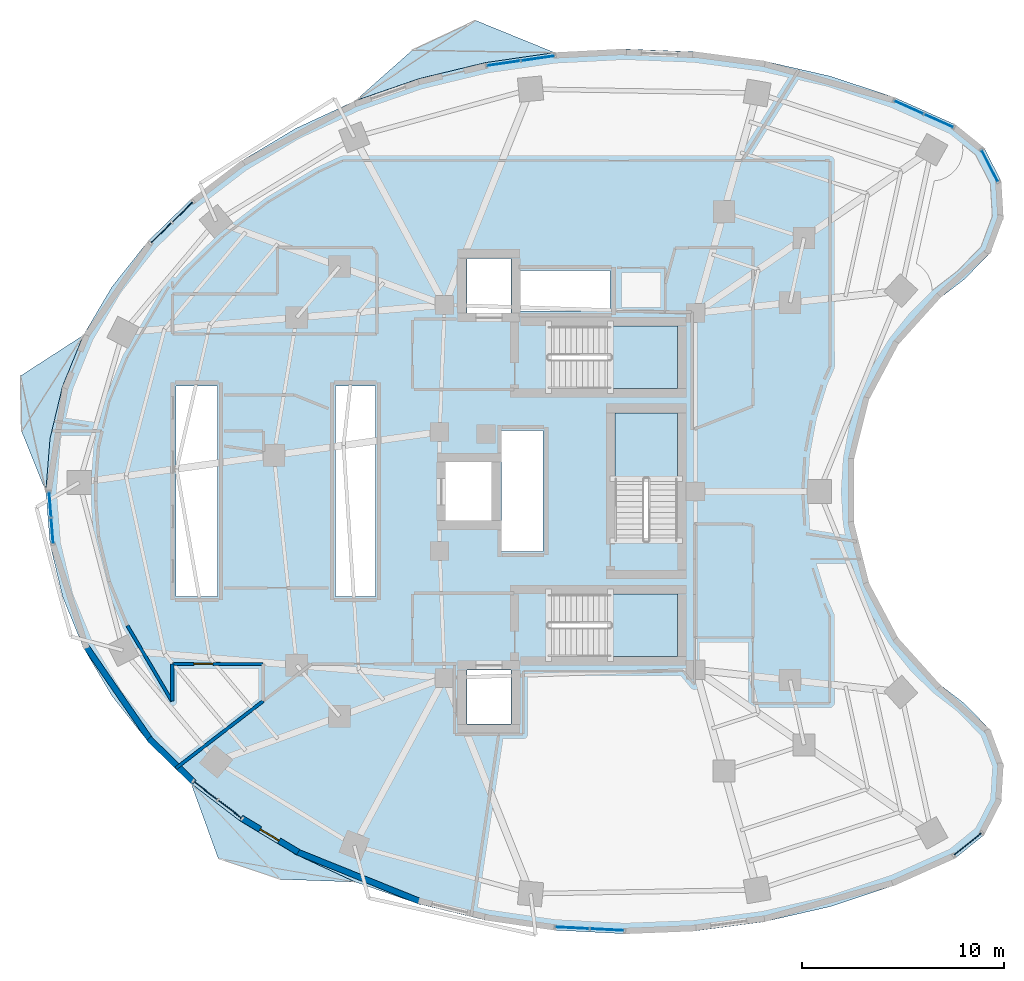
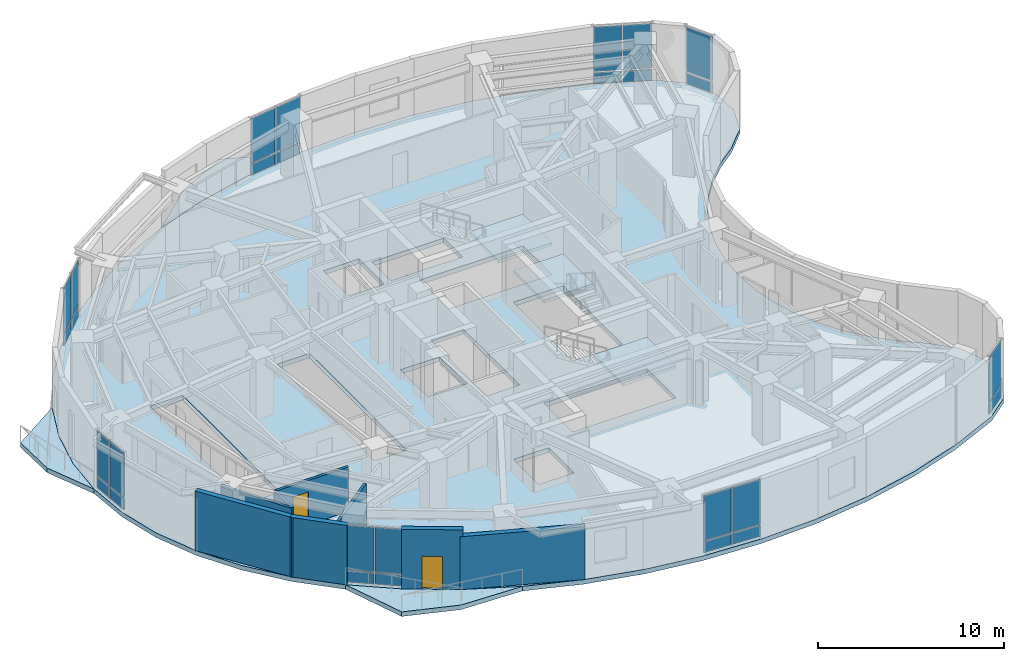
# One storey, part 7 of 14: 28 plates, 8 walls, 7 slabs, 2 doors, 2 openings, 11 elements without a shape of their own.
"""IFC4 building model written with IfcOpenShell, lengths in metres."""

from ifc_helpers import new_model, si_unit, direction, frame, frame_2d, origin, origin_2d, place, context, subcontext, project, spatial, polyline, rectangle, outline, extrude, material, layer, layer_set, type_object, element, fill, aggregate, save


model = new_model("IFC4")

# Units and contexts
model_context = context("Model", 3, precision=1e-05, world=origin(), true_north=direction((0.0, 1.0)))
body_context = subcontext(model_context, "Body", "Model", "MODEL_VIEW")
ifc_project = project(units=[si_unit("LENGTHUNIT", "METRE"), si_unit("AREAUNIT", "SQUARE_METRE"), si_unit("VOLUMEUNIT", "CUBIC_METRE"), si_unit("PLANEANGLEUNIT", "RADIAN"), si_unit("MASSUNIT", "GRAM", prefix="KILO")], contexts=[model_context])

# Site, building, storey
site_placement = place(None, origin())
site = spatial("IfcSite", under=ifc_project, at=site_placement, CompositionType="ELEMENT")
building_placement = place(site_placement, origin())
building = spatial("IfcBuilding", under=site, at=building_placement, Name="Korentha Bioscience Tower", CompositionType="ELEMENT")
storey_placement = place(building_placement, frame((0.0, 0.0, 119.39990234375)))
storey = spatial("IfcBuildingStorey", under=building, at=storey_placement, Name="L27", CompositionType="ELEMENT", Elevation=119.39990234375)

# Curtain wall, plates
ifc_material_1 = material(Name="Thermally Broken Aluminium Frame", Category="aluminium")
ifc_layer_1 = layer(ifc_material_1, 0.219970703125, Name="Thermally Broken Aluminium Frame")
ifc_layer_set_1 = layer_set([ifc_layer_1], Name="Thermally Broken Aluminium Frame (CW-T1)")
curtain_wall_type = type_object("IfcCurtainWallType", Name="Standard Bioscience Lab Unitised Curtain Wall CW-T1", PredefinedType="USERDEFINED", material=ifc_layer_set_1)
curtain_wall_1_placement = place(storey_placement, origin())
curtain_wall_1 = element("IfcCurtainWall", 1, at=curtain_wall_1_placement, inside=storey, type_object=curtain_wall_type, Name="L27 Curtain Wall 01", ObjectType="UNITISED", PredefinedType="USERDEFINED")
ifc_material_2 = material(Name="Triple-Glazed Low-E Insulated Glass", Category="glass")
ifc_layer_2 = layer(ifc_material_2, 0.0439453125, Name="Triple-Glazed Low-E Insulated Glass")
ifc_layer_set_2 = layer_set([ifc_layer_2], Name="Triple-Glazed Low-E Insulated Glass (GL-44)")
plate_type = type_object("IfcPlateType", Name="Glazed Panel 44mm", PredefinedType="CURTAIN_PANEL", material=ifc_layer_set_2)
plate_1_placement = place(storey_placement, frame((49.61767578125, 45.385986328125, 0.08984375), z_axis=(0.0, 0.0, 1.0), x_axis=(-0.912686563127, 0.408660295952, 0.0)))
plate_1 = element("IfcPlate", 2, at=plate_1_placement, type_object=plate_type, Name="CW-L27-01 Bay 1 Glazed Panel 1", PredefinedType="CURTAIN_PANEL", context=body_context, shape_type="SweptSolid", body=[
    extrude(rectangle(XDim=1.54541015625, YDim=0.0439453125, at=origin_2d()), origin(), (0.0, 0.0, 1.0), 0.715087890625),
])
plate_2_placement = place(storey_placement, frame((49.61767578125, 45.385986328125, 0.89501953125), z_axis=(0.0, 0.0, 1.0), x_axis=(-0.912686563127, 0.408660295952, 0.0)))
plate_2 = element("IfcPlate", 3, at=plate_2_placement, type_object=plate_type, Name="CW-L27-01 Bay 1 Glazed Panel 2", PredefinedType="CURTAIN_PANEL", context=body_context, shape_type="SweptSolid", body=[
    extrude(rectangle(XDim=1.54541015625, YDim=0.0439453125, at=origin_2d()), origin(), (0.0, 0.0, 1.0), 2.9150390625),
])
plate_3_placement = place(storey_placement, frame((48.125, 46.05419921875, 0.08984375), z_axis=(0.0, 0.0, 1.0), x_axis=(-0.912686563127, 0.408660295952, 0.0)))
plate_3 = element("IfcPlate", 4, at=plate_3_placement, type_object=plate_type, Name="CW-L27-01 Bay 2 Glazed Panel 1", PredefinedType="CURTAIN_PANEL", context=body_context, shape_type="SweptSolid", body=[
    extrude(rectangle(XDim=1.54541015625, YDim=0.0439453125, at=origin_2d()), origin(), (0.0, 0.0, 1.0), 0.715087890625),
])
plate_4_placement = place(storey_placement, frame((48.125, 46.05419921875, 0.89501953125), z_axis=(0.0, 0.0, 1.0), x_axis=(-0.912686563127, 0.408660295952, 0.0)))
plate_4 = element("IfcPlate", 5, at=plate_4_placement, type_object=plate_type, Name="CW-L27-01 Bay 2 Glazed Panel 2", PredefinedType="CURTAIN_PANEL", context=body_context, shape_type="SweptSolid", body=[
    extrude(rectangle(XDim=1.54541015625, YDim=0.0439453125, at=origin_2d()), origin(), (0.0, 0.0, 1.0), 2.9150390625),
])
aggregate(curtain_wall_1, [plate_1, plate_2, plate_3, plate_4])

curtain_wall_2_placement = place(storey_placement, origin())
curtain_wall_2 = element("IfcCurtainWall", 6, at=curtain_wall_2_placement, inside=storey, type_object=curtain_wall_type, Name="L27 Curtain Wall 07", ObjectType="UNITISED", PredefinedType="USERDEFINED")
plate_5_placement = place(storey_placement, frame((29.724853515625, 48.486328125, 0.08984375), z_axis=(0.0, 0.0, 1.0), x_axis=(-0.989738282326, -0.14289203091, 0.0)))
plate_5 = element("IfcPlate", 7, at=plate_5_placement, type_object=plate_type, Name="CW-L27-07 Bay 1 Glazed Panel 1", PredefinedType="CURTAIN_PANEL", context=body_context, shape_type="SweptSolid", body=[
    extrude(rectangle(XDim=1.630615234375, YDim=0.0439453125, at=origin_2d()), origin(), (0.0, 0.0, 1.0), 0.715087890625),
])
plate_6_placement = place(storey_placement, frame((29.724853515625, 48.486328125, 0.89501953125), z_axis=(0.0, 0.0, 1.0), x_axis=(-0.989738282326, -0.14289203091, 0.0)))
plate_6 = element("IfcPlate", 8, at=plate_6_placement, type_object=plate_type, Name="CW-L27-07 Bay 1 Glazed Panel 2", PredefinedType="CURTAIN_PANEL", context=body_context, shape_type="SweptSolid", body=[
    extrude(rectangle(XDim=1.630615234375, YDim=0.0439453125, at=origin_2d()), origin(), (0.0, 0.0, 1.0), 2.9150390625),
])
plate_7_placement = place(storey_placement, frame((28.021728515625, 48.240478515625, 0.08984375), z_axis=(0.0, 0.0, 1.0), x_axis=(-0.989738282326, -0.14289203091, 0.0)))
plate_7 = element("IfcPlate", 9, at=plate_7_placement, type_object=plate_type, Name="CW-L27-07 Bay 2 Glazed Panel 1", PredefinedType="CURTAIN_PANEL", context=body_context, shape_type="SweptSolid", body=[
    extrude(rectangle(XDim=1.630615234375, YDim=0.0439453125, at=origin_2d()), origin(), (0.0, 0.0, 1.0), 0.715087890625),
])
plate_8_placement = place(storey_placement, frame((28.021728515625, 48.240478515625, 0.89501953125), z_axis=(0.0, 0.0, 1.0), x_axis=(-0.989738282326, -0.14289203091, 0.0)))
plate_8 = element("IfcPlate", 10, at=plate_8_placement, type_object=plate_type, Name="CW-L27-07 Bay 2 Glazed Panel 2", PredefinedType="CURTAIN_PANEL", context=body_context, shape_type="SweptSolid", body=[
    extrude(rectangle(XDim=1.630615234375, YDim=0.0439453125, at=origin_2d()), origin(), (0.0, 0.0, 1.0), 2.9150390625),
])
aggregate(curtain_wall_2, [plate_5, plate_6, plate_7, plate_8])

curtain_wall_3_placement = place(storey_placement, origin())
curtain_wall_3 = element("IfcCurtainWall", 11, at=curtain_wall_3_placement, inside=storey, type_object=curtain_wall_type, Name="L27 Curtain Wall 13", ObjectType="UNITISED", PredefinedType="USERDEFINED")
plate_9_placement = place(storey_placement, frame((12.09912109375, 40.858642578125, 0.08984375), z_axis=(0.0, 0.0, 1.0), x_axis=(-0.716095631804, -0.698002182025, 0.0)))
plate_9 = element("IfcPlate", 12, at=plate_9_placement, type_object=plate_type, Name="CW-L27-13 Bay 1 Glazed Panel 1", PredefinedType="CURTAIN_PANEL", context=body_context, shape_type="SweptSolid", body=[
    extrude(rectangle(XDim=1.39599609375, YDim=0.0439453125, at=origin_2d()), origin(), (0.0, 0.0, 1.0), 0.715087890625),
])
plate_10_placement = place(storey_placement, frame((12.09912109375, 40.858642578125, 0.89501953125), z_axis=(0.0, 0.0, 1.0), x_axis=(-0.716095631804, -0.698002182025, 0.0)))
plate_10 = element("IfcPlate", 13, at=plate_10_placement, type_object=plate_type, Name="CW-L27-13 Bay 1 Glazed Panel 2", PredefinedType="CURTAIN_PANEL", context=body_context, shape_type="SweptSolid", body=[
    extrude(rectangle(XDim=1.39599609375, YDim=0.0439453125, at=origin_2d()), origin(), (0.0, 0.0, 1.0), 2.9150390625),
])
plate_11_placement = place(storey_placement, frame((11.034912109375, 39.8212890625, 0.08984375), z_axis=(0.0, 0.0, 1.0), x_axis=(-0.716095631804, -0.698002182025, 0.0)))
plate_11 = element("IfcPlate", 14, at=plate_11_placement, type_object=plate_type, Name="CW-L27-13 Bay 2 Glazed Panel 1", PredefinedType="CURTAIN_PANEL", context=body_context, shape_type="SweptSolid", body=[
    extrude(rectangle(XDim=1.39599609375, YDim=0.0439453125, at=origin_2d()), origin(), (0.0, 0.0, 1.0), 0.715087890625),
])
plate_12_placement = place(storey_placement, frame((11.034912109375, 39.8212890625, 0.89501953125), z_axis=(0.0, 0.0, 1.0), x_axis=(-0.716095631804, -0.698002182025, 0.0)))
plate_12 = element("IfcPlate", 15, at=plate_12_placement, type_object=plate_type, Name="CW-L27-13 Bay 2 Glazed Panel 2", PredefinedType="CURTAIN_PANEL", context=body_context, shape_type="SweptSolid", body=[
    extrude(rectangle(XDim=1.39599609375, YDim=0.0439453125, at=origin_2d()), origin(), (0.0, 0.0, 1.0), 2.9150390625),
])
aggregate(curtain_wall_3, [plate_9, plate_10, plate_11, plate_12])

curtain_wall_4_placement = place(storey_placement, origin())
curtain_wall_4 = element("IfcCurtainWall", 16, at=curtain_wall_4_placement, inside=storey, type_object=curtain_wall_type, Name="L27 Curtain Wall 19", ObjectType="UNITISED", PredefinedType="USERDEFINED")
plate_13_placement = place(storey_placement, frame((5.52587890625, 26.35205078125, 0.08984375), z_axis=(0.0, 0.0, 1.0), x_axis=(0.079130214674, -0.996864288219, 0.0)))
plate_13 = element("IfcPlate", 17, at=plate_13_placement, type_object=plate_type, Name="CW-L27-19 Bay 1 Glazed Panel 1", PredefinedType="CURTAIN_PANEL", context=body_context, shape_type="SweptSolid", body=[
    extrude(rectangle(XDim=1.225341796875, YDim=0.0439453125, at=origin_2d()), origin(), (0.0, 0.0, 1.0), 0.715087890625),
])
plate_14_placement = place(storey_placement, frame((5.52587890625, 26.35205078125, 0.89501953125), z_axis=(0.0, 0.0, 1.0), x_axis=(0.079130214674, -0.996864288219, 0.0)))
plate_14 = element("IfcPlate", 18, at=plate_14_placement, type_object=plate_type, Name="CW-L27-19 Bay 1 Glazed Panel 2", PredefinedType="CURTAIN_PANEL", context=body_context, shape_type="SweptSolid", body=[
    extrude(rectangle(XDim=1.225341796875, YDim=0.0439453125, at=origin_2d()), origin(), (0.0, 0.0, 1.0), 2.9150390625),
])
plate_15_placement = place(storey_placement, frame((5.6298828125, 25.040771484375, 0.08984375), z_axis=(0.0, 0.0, 1.0), x_axis=(0.079130214674, -0.996864288219, 0.0)))
plate_15 = element("IfcPlate", 19, at=plate_15_placement, type_object=plate_type, Name="CW-L27-19 Bay 2 Glazed Panel 1", PredefinedType="CURTAIN_PANEL", context=body_context, shape_type="SweptSolid", body=[
    extrude(rectangle(XDim=1.225341796875, YDim=0.0439453125, at=origin_2d()), origin(), (0.0, 0.0, 1.0), 0.715087890625),
])
plate_16_placement = place(storey_placement, frame((5.6298828125, 25.040771484375, 0.89501953125), z_axis=(0.0, 0.0, 1.0), x_axis=(0.079130214674, -0.996864288219, 0.0)))
plate_16 = element("IfcPlate", 20, at=plate_16_placement, type_object=plate_type, Name="CW-L27-19 Bay 2 Glazed Panel 2", PredefinedType="CURTAIN_PANEL", context=body_context, shape_type="SweptSolid", body=[
    extrude(rectangle(XDim=1.225341796875, YDim=0.0439453125, at=origin_2d()), origin(), (0.0, 0.0, 1.0), 2.9150390625),
])
aggregate(curtain_wall_4, [plate_13, plate_14, plate_15, plate_16])

curtain_wall_5_placement = place(storey_placement, origin())
curtain_wall_5 = element("IfcCurtainWall", 21, at=curtain_wall_5_placement, inside=storey, type_object=curtain_wall_type, Name="L27 Curtain Wall 25", ObjectType="UNITISED", PredefinedType="USERDEFINED")
plate_17_placement = place(storey_placement, frame((13.234619140625, 12.162353515625, 0.08984375), z_axis=(0.0, 0.0, 1.0), x_axis=(0.794499603893, -0.607264669986, 0.0)))
plate_17 = element("IfcPlate", 22, at=plate_17_placement, type_object=plate_type, Name="CW-L27-25 Bay 1 Glazed Panel 1", PredefinedType="CURTAIN_PANEL", context=body_context, shape_type="SweptSolid", body=[
    extrude(rectangle(XDim=1.4462890625, YDim=0.0439453125, at=origin_2d()), origin(), (0.0, 0.0, 1.0), 0.715087890625),
])
plate_18_placement = place(storey_placement, frame((13.234619140625, 12.162353515625, 0.89501953125), z_axis=(0.0, 0.0, 1.0), x_axis=(0.794499603893, -0.607264669986, 0.0)))
plate_18 = element("IfcPlate", 23, at=plate_18_placement, type_object=plate_type, Name="CW-L27-25 Bay 1 Glazed Panel 2", PredefinedType="CURTAIN_PANEL", context=body_context, shape_type="SweptSolid", body=[
    extrude(rectangle(XDim=1.4462890625, YDim=0.0439453125, at=origin_2d()), origin(), (0.0, 0.0, 1.0), 2.9150390625),
])
plate_19_placement = place(storey_placement, frame((14.455078125, 11.229248046875, 0.08984375), z_axis=(0.0, 0.0, 1.0), x_axis=(0.794499603893, -0.607264669986, 0.0)))
plate_19 = element("IfcPlate", 24, at=plate_19_placement, type_object=plate_type, Name="CW-L27-25 Bay 2 Glazed Panel 1", PredefinedType="CURTAIN_PANEL", context=body_context, shape_type="SweptSolid", body=[
    extrude(rectangle(XDim=1.4462890625, YDim=0.0439453125, at=origin_2d()), origin(), (0.0, 0.0, 1.0), 0.715087890625),
])
plate_20_placement = place(storey_placement, frame((14.455078125, 11.229248046875, 0.89501953125), z_axis=(0.0, 0.0, 1.0), x_axis=(0.794499603893, -0.607264669986, 0.0)))
plate_20 = element("IfcPlate", 25, at=plate_20_placement, type_object=plate_type, Name="CW-L27-25 Bay 2 Glazed Panel 2", PredefinedType="CURTAIN_PANEL", context=body_context, shape_type="SweptSolid", body=[
    extrude(rectangle(XDim=1.4462890625, YDim=0.0439453125, at=origin_2d()), origin(), (0.0, 0.0, 1.0), 2.9150390625),
])
aggregate(curtain_wall_5, [plate_17, plate_18, plate_19, plate_20])

curtain_wall_6_placement = place(storey_placement, origin())
curtain_wall_6 = element("IfcCurtainWall", 26, at=curtain_wall_6_placement, inside=storey, type_object=curtain_wall_type, Name="L27 Curtain Wall 31", ObjectType="UNITISED", PredefinedType="USERDEFINED")
plate_21_placement = place(storey_placement, frame((31.436279296875, 5.346435546875, 0.08984375), z_axis=(0.0, 0.0, 1.0), x_axis=(0.998673231344, -0.051495407527, 0.0)))
plate_21 = element("IfcPlate", 27, at=plate_21_placement, type_object=plate_type, Name="CW-L27-31 Bay 1 Glazed Panel 1", PredefinedType="CURTAIN_PANEL", context=body_context, shape_type="SweptSolid", body=[
    extrude(rectangle(XDim=1.641845703125, YDim=0.0439453125, at=origin_2d()), origin(), (0.0, 0.0, 1.0), 0.715087890625),
])
plate_22_placement = place(storey_placement, frame((31.436279296875, 5.346435546875, 0.89501953125), z_axis=(0.0, 0.0, 1.0), x_axis=(0.998673231344, -0.051495407527, 0.0)))
plate_22 = element("IfcPlate", 28, at=plate_22_placement, type_object=plate_type, Name="CW-L27-31 Bay 1 Glazed Panel 2", PredefinedType="CURTAIN_PANEL", context=body_context, shape_type="SweptSolid", body=[
    extrude(rectangle(XDim=1.641845703125, YDim=0.0439453125, at=origin_2d()), origin(), (0.0, 0.0, 1.0), 2.9150390625),
])
plate_23_placement = place(storey_placement, frame((33.166015625, 5.25732421875, 0.08984375), z_axis=(0.0, 0.0, 1.0), x_axis=(0.998673231344, -0.051495407527, 0.0)))
plate_23 = element("IfcPlate", 29, at=plate_23_placement, type_object=plate_type, Name="CW-L27-31 Bay 2 Glazed Panel 1", PredefinedType="CURTAIN_PANEL", context=body_context, shape_type="SweptSolid", body=[
    extrude(rectangle(XDim=1.641845703125, YDim=0.0439453125, at=origin_2d()), origin(), (0.0, 0.0, 1.0), 0.715087890625),
])
plate_24_placement = place(storey_placement, frame((33.166015625, 5.25732421875, 0.89501953125), z_axis=(0.0, 0.0, 1.0), x_axis=(0.998673231344, -0.051495407527, 0.0)))
plate_24 = element("IfcPlate", 30, at=plate_24_placement, type_object=plate_type, Name="CW-L27-31 Bay 2 Glazed Panel 2", PredefinedType="CURTAIN_PANEL", context=body_context, shape_type="SweptSolid", body=[
    extrude(rectangle(XDim=1.641845703125, YDim=0.0439453125, at=origin_2d()), origin(), (0.0, 0.0, 1.0), 2.9150390625),
])
aggregate(curtain_wall_6, [plate_21, plate_22, plate_23, plate_24])

curtain_wall_7_placement = place(storey_placement, origin())
curtain_wall_7 = element("IfcCurtainWall", 31, at=curtain_wall_7_placement, inside=storey, type_object=curtain_wall_type, Name="L27 Curtain Wall 37", ObjectType="UNITISED", PredefinedType="USERDEFINED")
plate_25_placement = place(storey_placement, frame((51.04736328125, 9.506591796875, 0.08984375), z_axis=(0.0, 0.0, 1.0), x_axis=(0.777315301098, 0.629111216463, 0.0)))
plate_25 = element("IfcPlate", 32, at=plate_25_placement, type_object=plate_type, Name="CW-L27-37 Bay 1 Glazed Panel 1", PredefinedType="CURTAIN_PANEL", context=body_context, shape_type="SweptSolid", body=[
    extrude(rectangle(XDim=1.737548828125, YDim=0.0439453125, at=origin_2d()), origin(), (0.0, 0.0, 1.0), 0.715087890625),
])
plate_26_placement = place(storey_placement, frame((51.04736328125, 9.506591796875, 0.89501953125), z_axis=(0.0, 0.0, 1.0), x_axis=(0.777315301098, 0.629111216463, 0.0)))
plate_26 = element("IfcPlate", 33, at=plate_26_placement, type_object=plate_type, Name="CW-L27-37 Bay 1 Glazed Panel 2", PredefinedType="CURTAIN_PANEL", context=body_context, shape_type="SweptSolid", body=[
    extrude(rectangle(XDim=1.737548828125, YDim=0.0439453125, at=origin_2d()), origin(), (0.0, 0.0, 1.0), 2.9150390625),
])
aggregate(curtain_wall_7, [plate_25, plate_26])

curtain_wall_8_placement = place(storey_placement, origin())
curtain_wall_8 = element("IfcCurtainWall", 34, at=curtain_wall_8_placement, inside=storey, type_object=curtain_wall_type, Name="L27 Curtain Wall 61", ObjectType="UNITISED", PredefinedType="USERDEFINED")
plate_27_placement = place(storey_placement, frame((52.140380859375, 43.149658203125, 0.08984375), z_axis=(0.0, 0.0, 1.0), x_axis=(-0.457613117169, 0.889151412862, 0.0)))
plate_27 = element("IfcPlate", 35, at=plate_27_placement, type_object=plate_type, Name="CW-L27-61 Bay 1 Glazed Panel 1", PredefinedType="CURTAIN_PANEL", context=body_context, shape_type="SweptSolid", body=[
    extrude(rectangle(XDim=1.737548828125, YDim=0.0439453125, at=origin_2d()), origin(), (0.0, 0.0, 1.0), 0.715087890625),
])
plate_28_placement = place(storey_placement, frame((52.140380859375, 43.149658203125, 0.89501953125), z_axis=(0.0, 0.0, 1.0), x_axis=(-0.457613117169, 0.889151412862, 0.0)))
plate_28 = element("IfcPlate", 36, at=plate_28_placement, type_object=plate_type, Name="CW-L27-61 Bay 1 Glazed Panel 2", PredefinedType="CURTAIN_PANEL", context=body_context, shape_type="SweptSolid", body=[
    extrude(rectangle(XDim=1.737548828125, YDim=0.0439453125, at=origin_2d()), origin(), (0.0, 0.0, 1.0), 2.9150390625),
])
aggregate(curtain_wall_8, [plate_27, plate_28])

# Slab
ifc_material_3 = material(Name="Concrete C50", Category="concrete")
ifc_layer_3 = layer(ifc_material_3, 0.300048828125, Name="Concrete C50")
ifc_layer_set_3 = layer_set([ifc_layer_3], Name="Concrete C50 (SL-L300)")
slab_type_1 = type_object("IfcSlabType", Name="Laboratory Vibration-Controlled Slab 300", PredefinedType="FLOOR", material=ifc_layer_set_3)
slab_1_placement = place(storey_placement, frame((0.0, 0.0, -0.2998046875)))
element("IfcSlab", 37, at=slab_1_placement, inside=storey, type_object=slab_type_1, Name="L27 Tower Structural Floor Slab", PredefinedType="FLOOR", context=body_context, shape_type="SweptSolid", body=[
    extrude(outline(polyline([(50.433837890625, 45.19580078125), (47.439697265625, 46.53662109375), (44.2548828125, 47.59521484375), (40.925537109375, 48.3564453125), (37.5, 48.809326171875), (34.027587890625, 48.947265625), (30.558349609375, 48.7685546875), (27.142333984375, 48.275390625), (23.8291015625, 47.474853515625), (20.66650390625, 46.37890625), (17.69970703125, 45.003173828125), (14.972412109375, 43.367431640625), (12.52294921875, 41.495361328125), (10.3876953125, 39.413818359375), (8.5966796875, 37.1533203125), (7.17626953125, 34.74609375), (6.146484375, 32.22705078125), (5.52294921875, 29.632568359375), (5.31396484375, 27.0), (5.52294921875, 24.367431640625), (6.146484375, 21.77294921875), (7.17626953125, 19.25390625), (8.5966796875, 16.8466796875), (10.3876953125, 14.586181640625), (12.52294921875, 12.504638671875), (14.972412109375, 10.632568359375), (17.69970703125, 8.996826171875), (20.66650390625, 7.62109375), (23.8291015625, 6.525146484375), (27.142333984375, 5.724609375), (30.558349609375, 5.2314453125), (34.027587890625, 5.052734375), (37.5, 5.190673828125), (40.925537109375, 5.6435546875), (44.2548828125, 6.40478515625), (47.439697265625, 7.46337890625), (50.433837890625, 8.80419921875), (51.8623046875, 9.960205078125), (52.703125, 11.593994140625), (52.813720703125, 13.42822265625), (52.175537109375, 15.1513671875), (50.896484375, 16.470703125), (49.666259765625, 17.414794921875), (48.560302734375, 18.501708984375), (47.594970703125, 19.715087890625), (46.78466796875, 21.037353515625), (46.1416015625, 22.448486328125), (45.67529296875, 23.927490234375), (45.392578125, 25.4521484375), (45.298095703125, 27.0), (45.392578125, 28.5478515625), (45.67529296875, 30.072509765625), (46.1416015625, 31.551513671875), (46.78466796875, 32.962646484375), (47.594970703125, 34.284912109375), (48.560302734375, 35.498291015625), (49.666259765625, 36.585205078125), (50.896484375, 37.529296875), (52.175537109375, 38.8486328125), (52.813720703125, 40.57177734375), (52.703125, 42.406005859375), (51.8623046875, 44.039794921875), (50.433837890625, 45.19580078125)]), holes=[polyline([(30.25, 32.10009765625), (36.64990234375, 32.10009765625), (36.64990234375, 35.199951171875), (30.25, 35.199951171875), (30.25, 32.10009765625)]), polyline([(30.25, 18.800048828125), (36.64990234375, 18.800048828125), (36.64990234375, 21.89990234375), (30.25, 21.89990234375), (30.25, 18.800048828125)]), polyline([(36.64990234375, 24.550048828125), (36.64990234375, 30.89990234375), (33.550048828125, 30.89990234375), (33.550048828125, 24.550048828125), (36.64990234375, 24.550048828125)]), polyline([(11.780029296875, 21.780029296875), (13.820068359375, 21.780029296875), (13.820068359375, 32.219970703125), (11.780029296875, 32.219970703125), (11.780029296875, 21.780029296875)]), polyline([(19.679931640625, 21.780029296875), (21.669921875, 21.780029296875), (21.669921875, 32.219970703125), (19.679931640625, 32.219970703125), (19.679931640625, 21.780029296875)]), polyline([(27.929931640625, 24.030029296875), (29.969970703125, 24.030029296875), (29.969970703125, 30.02001953125), (27.929931640625, 30.02001953125), (27.929931640625, 24.030029296875)]), polyline([(28.860107421875, 35.93994140625), (33.31005859375, 35.93994140625), (33.31005859375, 37.9599609375), (28.860107421875, 37.9599609375), (28.860107421875, 35.93994140625)]), polyline([(26.199951171875, 15.449951171875), (28.39990234375, 15.449951171875), (28.39990234375, 18.14990234375), (26.199951171875, 18.14990234375), (26.199951171875, 15.449951171875)]), polyline([(26.199951171875, 35.85009765625), (28.39990234375, 35.85009765625), (28.39990234375, 38.550048828125), (26.199951171875, 38.550048828125), (26.199951171875, 35.85009765625)]), polyline([(25.14990234375, 25.550048828125), (27.550048828125, 25.550048828125), (27.550048828125, 28.449951171875), (25.14990234375, 28.449951171875), (25.14990234375, 25.550048828125)])]), origin(), (0.0, 0.0, 1.0), 0.2998046875),
])

# Stair, slab
ifc_material_4 = material(Name="Precast Concrete C50", Category="concrete")
stair_type = type_object("IfcStairType", Name="Core Exit Dog-Leg Stair 1450", PredefinedType="HALF_TURN_STAIR", material=ifc_material_4)
stair_1_placement = place(storey_placement, origin())
stair_1 = element("IfcStair", 38, at=stair_1_placement, inside=storey, type_object=stair_type, Name="L27 Tower North Pressurized Exit Stair ST-1", PredefinedType="HALF_TURN_STAIR")
ifc_layer_4 = layer(ifc_material_3, 0.199951171875, Name="Concrete C50")
ifc_layer_set_4 = layer_set([ifc_layer_4], Name="Concrete C50 (SL-LND)")
slab_type_2 = type_object("IfcSlabType", Name="Landing Slab 200", PredefinedType="LANDING", material=ifc_layer_set_4)
slab_2_placement = place(storey_placement, frame((0.0, 0.0, 1.900146484375)))
slab_2 = element("IfcSlab", 39, at=slab_2_placement, type_object=slab_type_2, Name="ST-1 landing 1", PredefinedType="LANDING", context=body_context, shape_type="SweptSolid", body=[
    extrude(outline(polyline([(33.330078125, 32.10009765625), (36.64990234375, 32.10009765625), (36.64990234375, 35.199951171875), (33.330078125, 35.199951171875), (33.330078125, 32.10009765625)])), origin(), (0.0, 0.0, 1.0), 0.199951171875),
])
aggregate(stair_1, [slab_2])

stair_2_placement = place(storey_placement, origin())
stair_2 = element("IfcStair", 40, at=stair_2_placement, inside=storey, type_object=stair_type, Name="L27 Tower South Pressurized Exit Stair ST-2", PredefinedType="HALF_TURN_STAIR")
slab_3_placement = place(storey_placement, frame((0.0, 0.0, 1.900146484375)))
slab_3 = element("IfcSlab", 41, at=slab_3_placement, type_object=slab_type_2, Name="ST-2 landing 1", PredefinedType="LANDING", context=body_context, shape_type="SweptSolid", body=[
    extrude(outline(polyline([(33.330078125, 18.800048828125), (36.64990234375, 18.800048828125), (36.64990234375, 21.89990234375), (33.330078125, 21.89990234375), (33.330078125, 18.800048828125)])), origin(), (0.0, 0.0, 1.0), 0.199951171875),
])
aggregate(stair_2, [slab_3])

stair_3_placement = place(storey_placement, origin())
stair_3 = element("IfcStair", 42, at=stair_3_placement, inside=storey, type_object=stair_type, Name="L27 Tower Central Pressurized Exit Stair ST-3", PredefinedType="HALF_TURN_STAIR")
slab_4_placement = place(storey_placement, frame((0.0, 0.0, 1.900146484375)))
slab_4 = element("IfcSlab", 43, at=slab_4_placement, type_object=slab_type_2, Name="ST-3 landing 1", PredefinedType="LANDING", context=body_context, shape_type="SweptSolid", body=[
    extrude(outline(polyline([(36.64990234375, 27.6298828125), (36.64990234375, 30.89990234375), (33.550048828125, 30.89990234375), (33.550048828125, 27.6298828125), (36.64990234375, 27.6298828125)])), origin(), (0.0, 0.0, 1.0), 0.199951171875),
])
aggregate(stair_3, [slab_4])

# Slabs
ifc_layer_5 = layer(ifc_material_3, 0.300048828125, Name="Concrete C50")
ifc_layer_set_5 = layer_set([ifc_layer_5], Name="Concrete C50 (BS-240)")
slab_type_3 = type_object("IfcSlabType", Name="Sawtooth Sun-Ledge Balcony Slab 240", PredefinedType="USERDEFINED", material=ifc_layer_set_5)
slab_5_placement = place(storey_placement, frame((0.0, 0.0, -0.2998046875)))
element("IfcSlab", 44, at=slab_5_placement, inside=storey, type_object=slab_type_3, Name="L27 Sun-Ledge Balcony 01", ObjectType="BALCONY", PredefinedType="USERDEFINED", context=body_context, shape_type="SweptSolid", body=[
    extrude(outline(polyline([(20.66650390625, 46.37890625), (23.8291015625, 47.474853515625), (27.142333984375, 48.275390625), (30.558349609375, 48.7685546875), (26.637451171875, 50.365234375), (23.48876953125, 48.884521484375), (20.66650390625, 46.37890625)])), origin(), (0.0, 0.0, 1.0), 0.2998046875),
])
slab_6_placement = place(storey_placement, frame((0.0, 0.0, -0.2998046875)))
element("IfcSlab", 45, at=slab_6_placement, inside=storey, type_object=slab_type_3, Name="L27 Sun-Ledge Balcony 02", ObjectType="BALCONY", PredefinedType="USERDEFINED", context=body_context, shape_type="SweptSolid", body=[
    extrude(outline(polyline([(5.31396484375, 27.0), (5.52294921875, 29.632568359375), (6.146484375, 32.22705078125), (7.17626953125, 34.74609375), (4.05615234375, 32.729736328125), (4.113037109375, 29.971435546875), (5.31396484375, 27.0)])), origin(), (0.0, 0.0, 1.0), 0.2998046875),
])
slab_7_placement = place(storey_placement, frame((0.0, 0.0, -0.2998046875)))
element("IfcSlab", 46, at=slab_7_placement, inside=storey, type_object=slab_type_3, Name="L27 Sun-Ledge Balcony 03", ObjectType="BALCONY", PredefinedType="USERDEFINED", context=body_context, shape_type="SweptSolid", body=[
    extrude(outline(polyline([(20.66650390625, 7.62109375), (17.69970703125, 8.996826171875), (14.972412109375, 10.632568359375), (12.52294921875, 12.504638671875), (13.866455078125, 8.788818359375), (16.9541015625, 7.75341796875), (20.66650390625, 7.62109375)])), origin(), (0.0, 0.0, 1.0), 0.2998046875),
])

# Wall, opening, door
ifc_material_5 = material(Name="Gypsum-Clad Steel Stud", Category="steel")
ifc_layer_6 = layer(ifc_material_5, 0.159912109375, Name="Gypsum-Clad Steel Stud")
ifc_layer_set_6 = layer_set([ifc_layer_6], Name="Gypsum-Clad Steel Stud (IW-C160)")
wall_type_1 = type_object("IfcWallType", Name="Fire-Rated Corridor Partition Wall 160", PredefinedType="PARTITIONING", material=ifc_layer_set_6)
wall_1_placement = place(storey_placement, frame((11.590087890625, 18.43994140625, 0.0), z_axis=(0.0, 0.0, 1.0), x_axis=(1.0, 0.0, 0.0)))
wall_1 = element("IfcWall", 47, at=wall_1_placement, inside=storey, type_object=wall_type_1, Name="L27 Biospecimen Archive Store 02 Entrance Wall", PredefinedType="PARTITIONING", context=body_context, shape_type="SweptSolid", body=[
    extrude(rectangle(XDim=4.5078125, YDim=0.159912109375, at=frame_2d((2.25390625, 0.0))), origin(), (0.0, 0.0, 1.0), 2.91015625),
])
opening_1_placement = place(wall_1_placement, frame((1.06298828125, 0.0, 0.0)))
opening_1 = element("IfcOpeningElement", 48, at=opening_1_placement, cuts=wall_1, Name="Opening ID-10R", PredefinedType="OPENING", context=body_context, shape_type="SweptSolid", body=[
    extrude(rectangle(XDim=0.949951171875, YDim=2.14990234375, at=frame_2d((0.47509765625, 1.074951171875))), frame((0.0, 0.0947265625, 0.0), z_axis=(0.0, -1.0, 0.0), x_axis=(1.0, 0.0, 0.0)), (0.0, 0.0, 1.0), 0.189697265625),
])
ifc_material_6 = material(Name="Phenolic Laminate Timber Core", Category="wood")
door_type_1 = type_object("IfcDoorType", Name="Laboratory Single Leaf Door 950x2150 Right", OperationType="SINGLE_SWING_RIGHT", PredefinedType="DOOR", material=ifc_material_6)
door_1_placement = place(opening_1_placement, origin())
door_1 = element("IfcDoor", 49, at=door_1_placement, inside=storey, type_object=door_type_1, Name="L27 Biospecimen Archive Store 02 Door", OperationType="SINGLE_SWING_RIGHT", OverallHeight=2.14990234375, OverallWidth=0.949951171875, PredefinedType="DOOR", context=body_context, shape_type="SweptSolid", body=[
    extrude(rectangle(XDim=0.949951171875, YDim=2.14990234375, at=frame_2d((0.47509765625, 1.074951171875))), frame((0.0, 0.02490234375, 0.0), z_axis=(0.0, -1.0, 0.0), x_axis=(1.0, 0.0, 0.0)), (0.0, 0.0, 1.0), 0.050048828125),
])
fill(opening_1, door_1)

# Walls
wall_2_placement = place(storey_placement, frame((9.359130859375, 20.336181640625, 0.0), z_axis=(0.0, 0.0, 1.0), x_axis=(0.508164254342, -0.86126017591, 0.0)))
element("IfcWall", 50, at=wall_2_placement, inside=storey, type_object=wall_type_1, Name="L27 Interior Partition 025", PredefinedType="PARTITIONING", context=body_context, shape_type="SweptSolid", body=[
    extrude(rectangle(XDim=4.353271484375, YDim=0.159912109375, at=frame_2d((2.1767578125, 0.0))), origin(), (0.0, 0.0, 1.0), 2.91015625),
])
wall_3_placement = place(storey_placement, frame((11.590087890625, 16.592041015625, 0.0), z_axis=(0.0, 0.0, 1.0), x_axis=(0.0, 1.0, 0.0)))
element("IfcWall", 51, at=wall_3_placement, inside=storey, type_object=wall_type_1, Name="L27 Interior Partition 026", PredefinedType="PARTITIONING", context=body_context, shape_type="SweptSolid", body=[
    extrude(rectangle(XDim=1.847900390625, YDim=0.159912109375, at=frame_2d((0.923828125, 0.0))), origin(), (0.0, 0.0, 1.0), 2.91015625),
])
wall_4_placement = place(storey_placement, frame((16.097900390625, 16.5986328125, 0.0), z_axis=(0.0, 0.0, 1.0), x_axis=(-0.792293030169, -0.610140766008, 0.0)))
element("IfcWall", 52, at=wall_4_placement, inside=storey, type_object=wall_type_1, Name="L27 Interior Partition 028", PredefinedType="PARTITIONING", context=body_context, shape_type="SweptSolid", body=[
    extrude(rectangle(XDim=5.458984375, YDim=0.159912109375, at=frame_2d((2.7294921875, 0.0))), origin(), (0.0, 0.0, 1.0), 2.91015625),
])

# Wall, opening, door
ifc_material_7 = material(Name="Honed Limestone Precast Concrete C40", Category="masonry")
ifc_layer_7 = layer(ifc_material_7, 0.300048828125, Name="Honed Limestone Precast Concrete C40")
ifc_layer_set_7 = layer_set([ifc_layer_7], Name="Honed Limestone Precast Concrete C40 (EW-ST300)")
wall_type_2 = type_object("IfcWallType", Name="Honed Limestone Cavity Spandrel Wall 300", PredefinedType="STANDARD", material=ifc_layer_set_7)
wall_5_placement = place(storey_placement, frame((15.003173828125, 10.80078125, 0.0), z_axis=(0.0, 0.0, 1.0), x_axis=(0.85758429223, -0.514343447242, 0.0)))
wall_5 = element("IfcWall", 53, at=wall_5_placement, inside=storey, type_object=wall_type_2, Name="L27 Balcony Threshold Wall 03", PredefinedType="STANDARD", context=body_context, shape_type="SweptSolid", body=[
    extrude(rectangle(XDim=3.30029296875, YDim=0.300048828125, at=frame_2d((1.650146484375, 0.0))), origin(), (0.0, 0.0, 1.0), 3.900146484375),
])
opening_2_placement = place(wall_5_placement, frame((1.10009765625, 0.0, 0.0)))
opening_2 = element("IfcOpeningElement", 54, at=opening_2_placement, cuts=wall_5, Name="Opening BD-11L", PredefinedType="OPENING", context=body_context, shape_type="SweptSolid", body=[
    extrude(rectangle(XDim=1.10009765625, YDim=2.14990234375, at=frame_2d((0.550048828125, 1.074951171875))), frame((0.0, 0.1650390625, 0.0), z_axis=(0.0, -1.0, 0.0), x_axis=(1.0, 0.0, 0.0)), (0.0, 0.0, 1.0), 0.329833984375),
])
ifc_material_8 = material(Name="Thermally Broken Glazed Aluminium", Category="aluminium")
door_type_2 = type_object("IfcDoorType", Name="Balcony Terrace Glazed Door 1100x2150 Left", OperationType="SINGLE_SWING_LEFT", PredefinedType="DOOR", material=ifc_material_8)
door_2_placement = place(opening_2_placement, origin())
door_2 = element("IfcDoor", 55, at=door_2_placement, inside=storey, type_object=door_type_2, Name="L27 Balcony Access Door 03", OperationType="SINGLE_SWING_LEFT", OverallHeight=2.14990234375, OverallWidth=1.10009765625, PredefinedType="DOOR", context=body_context, shape_type="SweptSolid", body=[
    extrude(rectangle(XDim=1.10009765625, YDim=2.14990234375, at=frame_2d((0.550048828125, 1.074951171875))), frame((0.0, 0.02490234375, 0.0), z_axis=(0.0, -1.0, 0.0), x_axis=(1.0, 0.0, 0.0)), (0.0, 0.0, 1.0), 0.050048828125),
])
fill(opening_2, door_2)

# Walls
wall_6_placement = place(storey_placement, frame((7.24609375, 19.399169921875, 0.0), z_axis=(0.0, 0.0, 1.0), x_axis=(0.566825798999, -0.823837674296, 0.0)))
element("IfcWall", 56, at=wall_6_placement, inside=storey, type_object=wall_type_2, Name="L27 Limestone Perimeter Closure Wall 22", PredefinedType="STANDARD", context=body_context, shape_type="SweptSolid", body=[
    extrude(rectangle(XDim=5.825927734375, YDim=0.300048828125, at=frame_2d((2.9130859375, 0.0))), origin(), (0.0, 0.0, 1.0), 3.900146484375),
])
wall_7_placement = place(storey_placement, frame((10.427978515625, 14.7421875, 0.0), z_axis=(0.0, 0.0, 1.0), x_axis=(0.716101112291, -0.69799655943, 0.0)))
element("IfcWall", 57, at=wall_7_placement, inside=storey, type_object=wall_type_2, Name="L27 Limestone Perimeter Closure Wall 24", PredefinedType="STANDARD", context=body_context, shape_type="SweptSolid", body=[
    extrude(rectangle(XDim=3.14208984375, YDim=0.300048828125, at=frame_2d((1.571044921875, 0.0))), origin(), (0.0, 0.0, 1.0), 3.900146484375),
])
wall_8_placement = place(storey_placement, frame((17.677978515625, 9.15673828125, 0.0), z_axis=(0.0, 0.0, 1.0), x_axis=(0.927423312416, -0.374013368194, 0.0)))
element("IfcWall", 58, at=wall_8_placement, inside=storey, type_object=wall_type_2, Name="L27 Limestone Perimeter Closure Wall 27", PredefinedType="STANDARD", context=body_context, shape_type="SweptSolid", body=[
    extrude(rectangle(XDim=6.76904296875, YDim=0.300048828125, at=frame_2d((3.384521484375, 0.0))), origin(), (0.0, 0.0, 1.0), 3.47021484375),
])

save(model, "model.ifc")
